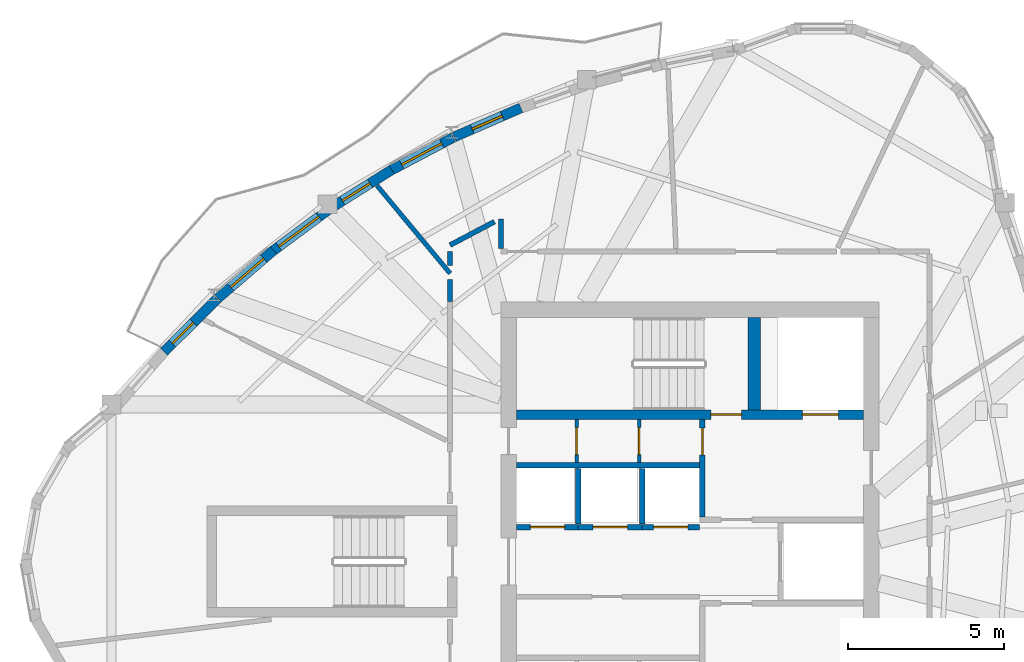
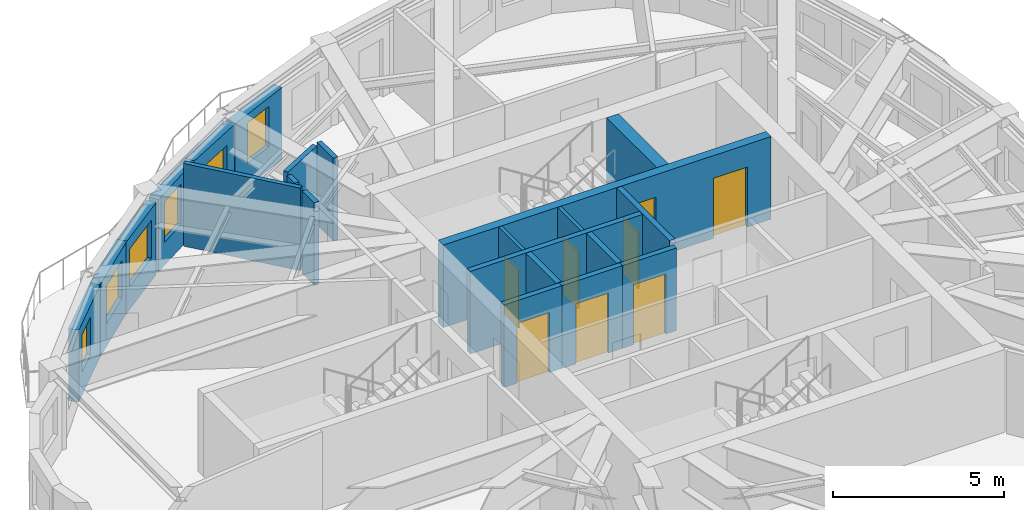
# One storey, part 5 of 11: 22 walls, 8 doors, 6 windows, 14 openings.
"""IFC4 building model written with IfcOpenShell, lengths in metres."""

import ifcopenshell
import ifcopenshell.guid

model = None  # the IFC model being written
_history = None  # IfcOwnerHistory: only IFC2X3 demands one
_inside = {}  # id of a spatial element -> (the spatial element, [elements in it])
_under = {}  # id of a project, library or spatial element -> (it, [spatial elements below it])
_declared = {}  # id of a project -> (the project, [libraries it declares])
_typed = {}  # id of a type object -> (the type object, [elements of that type])
_made_of = {}  # id of a material, layer set ... -> (it, [elements and type objects made of it])


def new_model(schema):
    """Start an empty IFC model of exactly this schema.

    Asked for "IFC4X3", IfcOpenShell would pick the latest addendum, in which some entities
    have other attributes; the version numbers below select the first issue.
    IFC2X3 requires an IfcOwnerHistory on every rooted entity: one is made here for all.
    """
    global model, _history
    if schema == "IFC4X3":
        model = ifcopenshell.file(schema_version=(4, 3, 0, 0))
    else:
        model = ifcopenshell.file(schema=schema)
    _inside.clear()
    _under.clear()
    _declared.clear()
    _typed.clear()
    _made_of.clear()
    _history = None
    if model.schema == "IFC2X3":
        org = make("IfcOrganization", Name="unknown")
        user = make(
            "IfcPersonAndOrganization",
            ThePerson=make("IfcPerson", FamilyName="unknown"),
            TheOrganization=org,
        )
        app = make(
            "IfcApplication",
            ApplicationDeveloper=org,
            Version="unknown",
            ApplicationFullName="unknown",
            ApplicationIdentifier="unknown",
        )
        _history = make(
            "IfcOwnerHistory",
            OwningUser=user,
            OwningApplication=app,
            ChangeAction="ADDED",
            CreationDate=0,
        )
    return model


def make(cls, **values):
    """One entity of the class cls with the attributes given. An attribute that is None is left unset."""
    return model.create_entity(
        cls, **{name: value for name, value in values.items() if value is not None}
    )


def rooted(cls, **values):
    """An entity with a GlobalId (a new one), such as an element, a storey or a relation."""
    return make(cls, GlobalId=ifcopenshell.guid.new(), OwnerHistory=_history, **values)


def si_unit(unit_type, name, prefix=None):
    """IfcSIUnit, for example si_unit("LENGTHUNIT", "METRE", prefix="MILLI")."""
    return make("IfcSIUnit", UnitType=unit_type, Prefix=prefix, Name=name)


def assignment(units):
    """IfcUnitAssignment: the units of a project."""
    return None if units is None else make("IfcUnitAssignment", Units=units)


def point(xyz):
    """IfcCartesianPoint."""
    return None if xyz is None else make("IfcCartesianPoint", Coordinates=xyz)


def direction(xyz):
    """IfcDirection."""
    return None if xyz is None else make("IfcDirection", DirectionRatios=xyz)


def frame(location, z_axis=None, x_axis=None):
    """IfcAxis2Placement3D, a coordinate frame: its origin and axes. An axis left out is left unset."""
    return make(
        "IfcAxis2Placement3D",
        Location=point(location),
        Axis=direction(z_axis),
        RefDirection=direction(x_axis),
    )


def frame_2d(location, x_axis=None):
    """IfcAxis2Placement2D, a coordinate frame in the plane: its origin and x axis."""
    return make(
        "IfcAxis2Placement2D", Location=point(location), RefDirection=direction(x_axis)
    )


def origin():
    """The frame at (0, 0, 0) with its axes left unset."""
    return frame((0.0, 0.0, 0.0))


def place(relative_to, where):
    """IfcLocalPlacement: puts the frame where relative to a parent placement (None: the world)."""
    return make(
        "IfcLocalPlacement", PlacementRelTo=relative_to, RelativePlacement=where
    )


def context(
    kind, dimensions, precision=None, world=None, true_north=None, identifier=None
):
    """IfcGeometricRepresentationContext, for example the 3D "Model" context."""
    return make(
        "IfcGeometricRepresentationContext",
        ContextIdentifier=identifier,
        ContextType=kind,
        CoordinateSpaceDimension=dimensions,
        Precision=precision,
        WorldCoordinateSystem=world,
        TrueNorth=true_north,
    )


def subcontext(parent, identifier, kind, view, scale=None):
    """IfcGeometricRepresentationSubContext, for example "Body" below "Model"."""
    return make(
        "IfcGeometricRepresentationSubContext",
        ContextIdentifier=identifier,
        ContextType=kind,
        ParentContext=parent,
        TargetScale=scale,
        TargetView=view,
    )


def project(units=None, contexts=None):
    """IfcProject with its units and contexts."""
    return rooted(
        "IfcProject",
        Name="project",
        RepresentationContexts=contexts,
        UnitsInContext=assignment(units),
    )


def spatial(cls, under=None, at=None, **own):
    """A site, building, storey or space (cls), placed at a placement, below another one or the project."""
    s = rooted(cls, ObjectPlacement=at, **own)
    if under is not None:
        _under.setdefault(under.id(), (under, []))[1].append(s)
    return s


def profile(cls, at=None, kind="AREA", **sizes):
    """A parametric profile (cls). Its sizes go by their IFC names, for example OverallWidth=200.0."""
    return make(cls, ProfileType=kind, Position=at, **sizes)


def rectangle(**sizes):
    """IfcRectangleProfileDef."""
    return profile("IfcRectangleProfileDef", **sizes)


def extrude(swept, where, along, depth):
    """IfcExtrudedAreaSolid: the profile swept, set in the frame where, extruded along a direction by depth."""
    return make(
        "IfcExtrudedAreaSolid",
        SweptArea=swept,
        Position=where,
        ExtrudedDirection=direction(along),
        Depth=depth,
    )


def shape(context_of_items, identifier, shape_type, items):
    """IfcShapeRepresentation: the items that make up one representation, for example the "Body"."""
    return make(
        "IfcShapeRepresentation",
        ContextOfItems=context_of_items,
        RepresentationIdentifier=identifier,
        RepresentationType=shape_type,
        Items=items,
    )


def source(mapping_origin, context_of_items, identifier, shape_type, items):
    """IfcRepresentationMap: a shape defined once, which mapped items show again and again."""
    return make(
        "IfcRepresentationMap",
        MappingOrigin=mapping_origin,
        MappedRepresentation=shape(context_of_items, identifier, shape_type, items),
    )


def transform(
    local_origin,
    x_axis=None,
    y_axis=None,
    z_axis=None,
    scale=None,
    scale2=None,
    scale3=None,
    uniform=True,
):
    """IfcCartesianTransformationOperator3D, or its non-uniform kind. x_axis, y_axis, z_axis: its Axis1, 2, 3."""
    if uniform:
        return make(
            "IfcCartesianTransformationOperator3D",
            Axis1=direction(x_axis),
            Axis2=direction(y_axis),
            LocalOrigin=point(local_origin),
            Scale=scale,
            Axis3=direction(z_axis),
        )
    return make(
        "IfcCartesianTransformationOperator3DnonUniform",
        Axis1=direction(x_axis),
        Axis2=direction(y_axis),
        LocalOrigin=point(local_origin),
        Scale=scale,
        Axis3=direction(z_axis),
        Scale2=scale2,
        Scale3=scale3,
    )


def mapped(mapping_source, mapping_target):
    """IfcMappedItem: shows the shape of a source again, moved by a transform."""
    return make(
        "IfcMappedItem", MappingSource=mapping_source, MappingTarget=mapping_target
    )


def material(Name=None, Category=None):
    """IfcMaterial."""
    return make("IfcMaterial", Name=Name, Category=Category)


def layer(
    of_material, thickness, ventilated=None, Name=None, Category=None, Priority=None
):
    """IfcMaterialLayer: one layer of a wall or slab, of a material (None: an air gap)."""
    return make(
        "IfcMaterialLayer",
        Material=of_material,
        LayerThickness=thickness,
        IsVentilated=ventilated,
        Name=Name,
        Category=Category,
        Priority=Priority,
    )


def layer_set(layers, Name=None):
    """IfcMaterialLayerSet."""
    return make("IfcMaterialLayerSet", MaterialLayers=layers, LayerSetName=Name)


def made_of(thing, what):
    """Note that an element or type object is made of a material, layer set ...; save() writes the relation."""
    if what is not None:
        _made_of.setdefault(what.id(), (what, []))[1].append(thing)
    return thing


def type_object(cls, material=None, **own):
    """A type object (cls), such as IfcWallType, which elements share."""
    return made_of(rooted(cls, **own), material)


def element(
    cls,
    number,
    at=None,
    inside=None,
    cuts=None,
    type_object=None,
    material=None,
    context=None,
    identifier="Body",
    shape_type=None,
    held_by="IfcProductDefinitionShape",
    body=None,
    shapes=None,
    **own,
):
    """One element of the class cls, such as IfcWall. Its Tag is "e" and its number.

    at: its placement. inside: the storey or other place that contains it. cuts: it is an
    opening in that element (IfcRelVoidsElement). A single representation is given by context,
    identifier, shape_type and body (its items); several are given by shapes. held_by: the class
    of the entity that holds the representations. save() writes the other relations.
    """
    e = rooted(cls, Tag="e%d" % number, ObjectPlacement=at, **own)
    if body is not None:
        shapes = [shape(context, identifier, shape_type, body)]
    if shapes is not None:
        e.Representation = make(held_by, Representations=shapes)
    if inside is not None:
        _inside.setdefault(inside.id(), (inside, []))[1].append(e)
    if cuts is not None:
        rooted(
            "IfcRelVoidsElement", RelatingBuildingElement=cuts, RelatedOpeningElement=e
        )
    if type_object is not None:
        _typed.setdefault(type_object.id(), (type_object, []))[1].append(e)
    return made_of(e, material)


def fill(opening, filler):
    """IfcRelFillsElement: the door or window that sits in an opening."""
    return rooted(
        "IfcRelFillsElement",
        RelatingOpeningElement=opening,
        RelatedBuildingElement=filler,
    )


def aggregate(whole, parts):
    """IfcRelAggregates: a whole, such as a stair, and the parts it consists of."""
    return rooted("IfcRelAggregates", RelatingObject=whole, RelatedObjects=parts)


def save(model, path):
    """Write the relations noted so far, then the file.

    IfcRelAggregates (storeys below a building ...), IfcRelContainedInSpatialStructure (elements
    in a storey), IfcRelDefinesByType, IfcRelAssociatesMaterial and IfcRelDeclares: one each for
    every whole, place, type object, material and project.
    """
    for whole, parts in _under.values():
        aggregate(whole, parts)
    for where, things in _inside.values():
        rooted(
            "IfcRelContainedInSpatialStructure",
            RelatedElements=things,
            RelatingStructure=where,
        )
    for kind, things in _typed.values():
        rooted("IfcRelDefinesByType", RelatedObjects=things, RelatingType=kind)
    for what, things in _made_of.values():
        rooted("IfcRelAssociatesMaterial", RelatedObjects=things, RelatingMaterial=what)
    for by, libraries in _declared.values():
        rooted("IfcRelDeclares", RelatingContext=by, RelatedDefinitions=libraries)
    model.write(path)


model = new_model("IFC4")

# Units and contexts
model_context = context("Model", 3, precision=1e-05, world=origin(), true_north=direction((0.0, 1.0)))
body_context = subcontext(model_context, "Body", "Model", "MODEL_VIEW")
ifc_project = project(units=[si_unit("LENGTHUNIT", "METRE"), si_unit("AREAUNIT", "SQUARE_METRE"), si_unit("VOLUMEUNIT", "CUBIC_METRE"), si_unit("PLANEANGLEUNIT", "RADIAN"), si_unit("MASSUNIT", "GRAM", prefix="KILO")], contexts=[model_context])

# Site, building, storey
site_placement = place(None, origin())
site = spatial("IfcSite", under=ifc_project, at=site_placement, CompositionType="ELEMENT")
building_placement = place(site_placement, origin())
building = spatial("IfcBuilding", under=site, at=building_placement, Name="Qafzar Sky-Pleat Residences", CompositionType="ELEMENT")
storey_placement = place(building_placement, frame((0.0, 0.0, 221.199951171875)))
storey = spatial("IfcBuildingStorey", under=building, at=storey_placement, Name="L66", CompositionType="ELEMENT", Elevation=221.199951171875)

# Walls
ifc_material_1 = material(Name="Acoustic gypsum plasterboard partition", Category="gypsum")
ifc_layer_1 = layer(ifc_material_1, 0.159912109375)
ifc_layer_set_1 = layer_set([ifc_layer_1], Name="Acoustic gypsum plasterboard partition")
wall_type_1 = type_object("IfcWallType", Name="PART-COR-160", PredefinedType="PARTITIONING", material=ifc_layer_set_1)
wall_1_placement = place(storey_placement, frame((22.679931640625, 36.1220703125, 0.0), z_axis=(0.0, 0.0, 1.0), x_axis=(0.884468554818, 0.466599802335, 0.0)))
element("IfcWall", 1, at=wall_1_placement, inside=storey, type_object=wall_type_1, Name="L66 Partition Wall PART-L66-PW-025", PredefinedType="PARTITIONING", context=body_context, shape_type="SweptSolid", body=[
    extrude(rectangle(XDim=1.603271484375, YDim=0.159912109375, at=frame_2d((0.8017578125, 0.0))), origin(), (0.0, 0.0, 1.0), 2.9599609375),
])
wall_2_placement = place(storey_placement, frame((24.300048828125, 36.008056640625, 0.0), z_axis=(0.0, 0.0, 1.0), x_axis=(0.0, 1.0, 0.0)))
element("IfcWall", 2, at=wall_2_placement, inside=storey, type_object=wall_type_1, Name="L66 Partition Wall PART-L66-PW-027", PredefinedType="PARTITIONING", context=body_context, shape_type="SweptSolid", body=[
    extrude(rectangle(XDim=0.949951171875, YDim=0.159912109375, at=frame_2d((0.47509765625, 0.0))), origin(), (0.0, 0.0, 1.0), 2.9599609375),
])
wall_3_placement = place(storey_placement, frame((22.679931640625, 34.31494140625, 0.0), z_axis=(0.0, 0.0, 1.0), x_axis=(0.0, 1.0, 0.0)))
element("IfcWall", 3, at=wall_3_placement, inside=storey, type_object=wall_type_1, Name="L66 Partition Wall PART-L66-PW-028", PredefinedType="PARTITIONING", context=body_context, shape_type="SweptSolid", body=[
    extrude(rectangle(XDim=0.70654296875, YDim=0.159912109375, at=frame_2d((0.353271484375, 0.0))), origin(), (0.0, 0.0, 1.0), 2.9599609375),
])
wall_4_placement = place(storey_placement, frame((22.679931640625, 35.471435546875, 0.0), z_axis=(0.0, 0.0, 1.0), x_axis=(0.0, 1.0, 0.0)))
element("IfcWall", 4, at=wall_4_placement, inside=storey, type_object=wall_type_1, Name="L66 Partition Wall PART-L66-PW-029", PredefinedType="PARTITIONING", context=body_context, shape_type="SweptSolid", body=[
    extrude(rectangle(XDim=0.448486328125, YDim=0.159912109375, at=frame_2d((0.22412109375, 0.0))), origin(), (0.0, 0.0, 1.0), 2.9599609375),
])

# Wall, opening, door
ifc_material_2 = material(Name="Concrete blockwork partition", Category="masonry")
ifc_layer_2 = layer(ifc_material_2, 0.179931640625)
ifc_layer_set_2 = layer_set([ifc_layer_2], Name="Concrete blockwork partition")
wall_type_2 = type_object("IfcWallType", Name="PART-SHAFT-180", PredefinedType="PARTITIONING", material=ifc_layer_set_2)
wall_5_placement = place(storey_placement, frame((30.75, 27.429931640625, 0.0), z_axis=(0.0, 0.0, 1.0), x_axis=(0.0, 1.0, 0.0)))
wall_5 = element("IfcWall", 5, at=wall_5_placement, inside=storey, type_object=wall_type_2, Name="L66 Partition Wall PART-L66-FFL2-W", PredefinedType="PARTITIONING", context=body_context, shape_type="SweptSolid", body=[
    extrude(rectangle(XDim=3.110107421875, YDim=0.179931640625, at=frame_2d((1.55517578125, 0.0))), origin(), (0.0, 0.0, 1.0), 2.9599609375),
])
opening_1_placement = place(wall_5_placement, frame((1.97998046875, 0.0, 0.0)))
opening_1 = element("IfcOpeningElement", 6, at=opening_1_placement, cuts=wall_5, Name="Opening ID-09", PredefinedType="OPENING", context=body_context, shape_type="SweptSolid", body=[
    extrude(rectangle(XDim=0.860107421875, YDim=2.050048828125, at=frame_2d((0.43017578125, 1.02490234375))), frame((0.0, 0.10009765625, 0.0), z_axis=(0.0, -1.0, 0.0), x_axis=(1.0, 0.0, 0.0)), (0.0, 0.0, 1.0), 0.199951171875),
])
ifc_material_3 = material(Name="Timber-faced fire door", Category="wood")
door_type_1 = type_object("IfcDoorType", Name="DR-SVC-860", OperationType="NOTDEFINED", PredefinedType="DOOR", material=ifc_material_3)
shared_shape_1 = source(origin(), body_context, "Body", "SweptSolid", [
    extrude(rectangle(XDim=0.860107421875, YDim=2.050048828125, at=frame_2d((0.43017578125, 1.02490234375))), frame((0.0, 0.02490234375, 0.0), z_axis=(0.0, -1.0, 0.0), x_axis=(1.0, 0.0, 0.0)), (0.0, 0.0, 1.0), 0.050048828125),
])
door_1_placement = place(opening_1_placement, origin())
door_1 = element("IfcDoor", 7, at=door_1_placement, inside=storey, type_object=door_type_1, Name="L66 North Core Cupboard Door", OperationType="SINGLE_SWING_LEFT", OverallHeight=2.050048828125, OverallWidth=0.860107421875, PredefinedType="DOOR", context=body_context, shape_type="MappedRepresentation", body=[
    mapped(shared_shape_1, transform((0.0, 0.0, 0.0), x_axis=(1.0, 0.0, 0.0), y_axis=(0.0, 1.0, 0.0), z_axis=(0.0, 0.0, 1.0), scale=1.0)),
])
fill(opening_1, door_1)

# Wall
wall_6_placement = place(storey_placement, frame((24.81005859375, 29.080078125, 0.0), z_axis=(0.0, 0.0, 1.0), x_axis=(1.0, 0.0, 0.0)))
element("IfcWall", 8, at=wall_6_placement, inside=storey, type_object=wall_type_2, Name="L66 Partition Wall PART-L66-P46-N", PredefinedType="PARTITIONING", context=body_context, shape_type="SweptSolid", body=[
    extrude(rectangle(XDim=5.83984375, YDim=0.179931640625, at=frame_2d((2.919921875, 0.0))), origin(), (0.0, 0.0, 1.0), 2.9599609375),
])

# Wall, opening, door
wall_7_placement = place(storey_placement, frame((24.81005859375, 27.10009765625, 0.0), z_axis=(0.0, 0.0, 1.0), x_axis=(1.0, 0.0, 0.0)))
wall_7 = element("IfcWall", 9, at=wall_7_placement, inside=storey, type_object=wall_type_2, Name="L66 Partition Wall PART-L66-P4-S", PredefinedType="PARTITIONING", context=body_context, shape_type="SweptSolid", body=[
    extrude(rectangle(XDim=1.96484375, YDim=0.179931640625, at=frame_2d((0.982421875, 0.0))), origin(), (0.0, 0.0, 1.0), 2.9599609375),
])
opening_2_placement = place(wall_7_placement, frame((0.4326171875, 0.0, 0.0)))
opening_2 = element("IfcOpeningElement", 10, at=opening_2_placement, cuts=wall_7, Name="Opening LD-01", PredefinedType="OPENING", context=body_context, shape_type="SweptSolid", body=[
    extrude(rectangle(XDim=1.10009765625, YDim=2.14990234375, at=frame_2d((0.550048828125, 1.074951171875))), frame((0.0, 0.10009765625, 0.0), z_axis=(0.0, -1.0, 0.0), x_axis=(1.0, 0.0, 0.0)), (0.0, 0.0, 1.0), 0.199951171875),
])
ifc_material_4 = material(Name="Stainless steel sliding landing door", Category="steel")
door_type_2 = type_object("IfcDoorType", Name="DR-LIFT-P", OperationType="DOUBLE_DOOR_SLIDING", PredefinedType="DOOR", material=ifc_material_4)
shared_shape_2 = source(origin(), body_context, "Body", "SweptSolid", [
    extrude(rectangle(XDim=1.10009765625, YDim=2.14990234375, at=frame_2d((0.550048828125, 1.074951171875))), frame((0.0, 0.02490234375, 0.0), z_axis=(0.0, -1.0, 0.0), x_axis=(1.0, 0.0, 0.0)), (0.0, 0.0, 1.0), 0.050048828125),
])
door_2_placement = place(opening_2_placement, origin())
door_2 = element("IfcDoor", 11, at=door_2_placement, inside=storey, type_object=door_type_2, Name="L66 Passenger Lift P4 Landing Door", OperationType="DOUBLE_DOOR_SLIDING", OverallHeight=2.14990234375, OverallWidth=1.10009765625, PredefinedType="DOOR", context=body_context, shape_type="MappedRepresentation", body=[
    mapped(shared_shape_2, transform((0.0, 0.0, 0.0), x_axis=(1.0, 0.0, 0.0), y_axis=(0.0, 1.0, 0.0), z_axis=(0.0, 0.0, 1.0), scale=1.0)),
])
fill(opening_2, door_2)

wall_8_placement = place(storey_placement, frame((26.77490234375, 27.10009765625, 0.0), z_axis=(0.0, 0.0, 1.0), x_axis=(1.0, 0.0, 0.0)))
wall_8 = element("IfcWall", 12, at=wall_8_placement, inside=storey, type_object=wall_type_2, Name="L66 Partition Wall PART-L66-P5-S", PredefinedType="PARTITIONING", context=body_context, shape_type="SweptSolid", body=[
    extrude(rectangle(XDim=2.050048828125, YDim=0.179931640625, at=frame_2d((1.02490234375, 0.0))), origin(), (0.0, 0.0, 1.0), 2.9599609375),
])
opening_3_placement = place(wall_8_placement, frame((0.47509765625, 0.0, 0.0)))
opening_3 = element("IfcOpeningElement", 13, at=opening_3_placement, cuts=wall_8, Name="Opening LD-01", PredefinedType="OPENING", context=body_context, shape_type="SweptSolid", body=[
    extrude(rectangle(XDim=1.10009765625, YDim=2.14990234375, at=frame_2d((0.550048828125, 1.074951171875))), frame((0.0, 0.10009765625, 0.0), z_axis=(0.0, -1.0, 0.0), x_axis=(1.0, 0.0, 0.0)), (0.0, 0.0, 1.0), 0.199951171875),
])
door_3_placement = place(opening_3_placement, origin())
door_3 = element("IfcDoor", 14, at=door_3_placement, inside=storey, type_object=door_type_2, Name="L66 Passenger Lift P5 Landing Door", OperationType="DOUBLE_DOOR_SLIDING", OverallHeight=2.14990234375, OverallWidth=1.10009765625, PredefinedType="DOOR", context=body_context, shape_type="MappedRepresentation", body=[
    mapped(shared_shape_2, transform((0.0, 0.0, 0.0), x_axis=(1.0, 0.0, 0.0), y_axis=(0.0, 1.0, 0.0), z_axis=(0.0, 0.0, 1.0), scale=1.0)),
])
fill(opening_3, door_3)

# Wall
wall_9_placement = place(storey_placement, frame((26.77490234375, 27.199951171875, 0.0), z_axis=(0.0, 0.0, 1.0), x_axis=(0.0, 1.0, 0.0)))
element("IfcWall", 15, at=wall_9_placement, inside=storey, type_object=wall_type_2, Name="L66 Partition Wall PART-L66-P46-DIV-1", PredefinedType="PARTITIONING", context=body_context, shape_type="SweptSolid", body=[
    extrude(rectangle(XDim=1.780029296875, YDim=0.179931640625, at=frame_2d((0.89013671875, 0.0))), origin(), (0.0, 0.0, 1.0), 2.9599609375),
])

# Wall, opening, door
wall_10_placement = place(storey_placement, frame((28.824951171875, 27.10009765625, 0.0), z_axis=(0.0, 0.0, 1.0), x_axis=(1.0, 0.0, 0.0)))
wall_10 = element("IfcWall", 16, at=wall_10_placement, inside=storey, type_object=wall_type_2, Name="L66 Partition Wall PART-L66-P6-S", PredefinedType="PARTITIONING", context=body_context, shape_type="SweptSolid", body=[
    extrude(rectangle(XDim=1.824951171875, YDim=0.179931640625, at=frame_2d((0.91259765625, 0.0))), origin(), (0.0, 0.0, 1.0), 2.9599609375),
])
opening_4_placement = place(wall_10_placement, frame((0.362548828125, 0.0, 0.0)))
opening_4 = element("IfcOpeningElement", 17, at=opening_4_placement, cuts=wall_10, Name="Opening LD-01", PredefinedType="OPENING", context=body_context, shape_type="SweptSolid", body=[
    extrude(rectangle(XDim=1.10009765625, YDim=2.14990234375, at=frame_2d((0.550048828125, 1.074951171875))), frame((0.0, 0.10009765625, 0.0), z_axis=(0.0, -1.0, 0.0), x_axis=(1.0, 0.0, 0.0)), (0.0, 0.0, 1.0), 0.199951171875),
])
door_4_placement = place(opening_4_placement, origin())
door_4 = element("IfcDoor", 18, at=door_4_placement, inside=storey, type_object=door_type_2, Name="L66 Passenger Lift P6 Landing Door", OperationType="DOUBLE_DOOR_SLIDING", OverallHeight=2.14990234375, OverallWidth=1.10009765625, PredefinedType="DOOR", context=body_context, shape_type="MappedRepresentation", body=[
    mapped(shared_shape_2, transform((0.0, 0.0, 0.0), x_axis=(1.0, 0.0, 0.0), y_axis=(0.0, 1.0, 0.0), z_axis=(0.0, 0.0, 1.0), scale=1.0)),
])
fill(opening_4, door_4)

# Wall
wall_11_placement = place(storey_placement, frame((28.824951171875, 27.199951171875, 0.0), z_axis=(0.0, 0.0, 1.0), x_axis=(0.0, 1.0, 0.0)))
element("IfcWall", 19, at=wall_11_placement, inside=storey, type_object=wall_type_2, Name="L66 Partition Wall PART-L66-P46-DIV-2", PredefinedType="PARTITIONING", context=body_context, shape_type="SweptSolid", body=[
    extrude(rectangle(XDim=1.780029296875, YDim=0.179931640625, at=frame_2d((0.89013671875, 0.0))), origin(), (0.0, 0.0, 1.0), 2.9599609375),
])

# Wall, opening, door
ifc_material_5 = material(Name="Gypsum plasterboard partition", Category="gypsum")
ifc_layer_3 = layer(ifc_material_5, 0.114990234375)
ifc_layer_set_3 = layer_set([ifc_layer_3], Name="Gypsum plasterboard partition")
wall_type_3 = type_object("IfcWallType", Name="PART-SVC-115", PredefinedType="PARTITIONING", material=ifc_layer_set_3)
wall_12_placement = place(storey_placement, frame((26.72509765625, 29.159912109375, 0.0), z_axis=(0.0, 0.0, 1.0), x_axis=(0.0, 1.0, 0.0)))
wall_12 = element("IfcWall", 20, at=wall_12_placement, inside=storey, type_object=wall_type_3, Name="L66 Partition Wall PART-L66-KC-NW-1", PredefinedType="PARTITIONING", context=body_context, shape_type="SweptSolid", body=[
    extrude(rectangle(XDim=1.380126953125, YDim=0.114990234375, at=frame_2d((0.68994140625, 0.0))), origin(), (0.0, 0.0, 1.0), 2.9599609375),
])
opening_5_placement = place(wall_12_placement, frame((0.260009765625, 0.0, 0.0)))
opening_5 = element("IfcOpeningElement", 21, at=opening_5_placement, cuts=wall_12, Name="Opening ID-09", PredefinedType="OPENING", context=body_context, shape_type="SweptSolid", body=[
    extrude(rectangle(XDim=0.860107421875, YDim=2.050048828125, at=frame_2d((0.43017578125, 1.02490234375))), frame((0.0, 0.0673828125, 0.0), z_axis=(0.0, -1.0, 0.0), x_axis=(1.0, 0.0, 0.0)), (0.0, 0.0, 1.0), 0.135009765625),
])
door_5_placement = place(opening_5_placement, origin())
door_5 = element("IfcDoor", 22, at=door_5_placement, inside=storey, type_object=door_type_1, Name="L66 Core North Cupboard 1 Door", OperationType="SINGLE_SWING_LEFT", OverallHeight=2.050048828125, OverallWidth=0.860107421875, PredefinedType="DOOR", context=body_context, shape_type="MappedRepresentation", body=[
    mapped(shared_shape_1, transform((0.0, 0.0, 0.0), x_axis=(1.0, 0.0, 0.0), y_axis=(0.0, 1.0, 0.0), z_axis=(0.0, 0.0, 1.0), scale=1.0)),
])
fill(opening_5, door_5)

wall_13_placement = place(storey_placement, frame((28.72509765625, 29.159912109375, 0.0), z_axis=(0.0, 0.0, 1.0), x_axis=(0.0, 1.0, 0.0)))
wall_13 = element("IfcWall", 23, at=wall_13_placement, inside=storey, type_object=wall_type_3, Name="L66 Partition Wall PART-L66-KC-NW-2", PredefinedType="PARTITIONING", context=body_context, shape_type="SweptSolid", body=[
    extrude(rectangle(XDim=1.380126953125, YDim=0.114990234375, at=frame_2d((0.68994140625, 0.0))), origin(), (0.0, 0.0, 1.0), 2.9599609375),
])
opening_6_placement = place(wall_13_placement, frame((0.260009765625, 0.0, 0.0)))
opening_6 = element("IfcOpeningElement", 24, at=opening_6_placement, cuts=wall_13, Name="Opening ID-09", PredefinedType="OPENING", context=body_context, shape_type="SweptSolid", body=[
    extrude(rectangle(XDim=0.860107421875, YDim=2.050048828125, at=frame_2d((0.43017578125, 1.02490234375))), frame((0.0, 0.0673828125, 0.0), z_axis=(0.0, -1.0, 0.0), x_axis=(1.0, 0.0, 0.0)), (0.0, 0.0, 1.0), 0.135009765625),
])
door_6_placement = place(opening_6_placement, origin())
door_6 = element("IfcDoor", 25, at=door_6_placement, inside=storey, type_object=door_type_1, Name="L66 Core North Cupboard 2 Door", OperationType="SINGLE_SWING_LEFT", OverallHeight=2.050048828125, OverallWidth=0.860107421875, PredefinedType="DOOR", context=body_context, shape_type="MappedRepresentation", body=[
    mapped(shared_shape_1, transform((0.0, 0.0, 0.0), x_axis=(1.0, 0.0, 0.0), y_axis=(0.0, 1.0, 0.0), z_axis=(0.0, 0.0, 1.0), scale=1.0)),
])
fill(opening_6, door_6)

# Wall
ifc_layer_4 = layer(ifc_material_1, 0.14501953125)
ifc_layer_set_4 = layer_set([ifc_layer_4], Name="Acoustic gypsum plasterboard partition")
wall_type_4 = type_object("IfcWallType", Name="PART-UNIT-145", PredefinedType="PARTITIONING", material=ifc_layer_set_4)
wall_14_placement = place(storey_placement, frame((20.3408203125, 38.025390625, 0.0), z_axis=(0.0, 0.0, 1.0), x_axis=(0.639731122463, -0.768598784121, 0.0)))
element("IfcWall", 26, at=wall_14_placement, inside=storey, type_object=wall_type_4, Name="L66 Partition Wall PART-L66-PW-020", PredefinedType="PARTITIONING", context=body_context, shape_type="SweptSolid", body=[
    extrude(rectangle(XDim=3.656494140625, YDim=0.14501953125, at=frame_2d((1.828125, 0.0))), origin(), (0.0, 0.0, 1.0), 2.9599609375),
])

# Wall, opening, window
ifc_material_6 = material(Name="Precast concrete C40/50 with honed Riyadh limestone", Category="concrete")
ifc_layer_5 = layer(ifc_material_6, 0.320068359375)
ifc_layer_set_5 = layer_set([ifc_layer_5], Name="Precast concrete C40/50 with honed Riyadh limestone")
wall_type_5 = type_object("IfcWallType", Name="WALL-EXT-320", PredefinedType="SOLIDWALL", material=ifc_layer_set_5)
wall_15_placement = place(storey_placement, frame((24.9453125, 40.509765625, 0.0), z_axis=(0.0, 0.0, 1.0), x_axis=(-0.917060051629, -0.39874912126, 0.0)))
wall_15 = element("IfcWall", 27, at=wall_15_placement, inside=storey, type_object=wall_type_5, Name="L66 Limestone Facade Wall 42", PredefinedType="SOLIDWALL", context=body_context, shape_type="SweptSolid", body=[
    extrude(rectangle(XDim=2.327880859375, YDim=0.320068359375, at=frame_2d((1.1640625, 0.0))), origin(), (0.0, 0.0, 1.0), 2.580078125),
])
opening_7_placement = place(wall_15_placement, frame((0.64892578125, 0.0, 0.820068359375)))
opening_7 = element("IfcOpeningElement", 28, at=opening_7_placement, cuts=wall_15, Name="Opening WN-06", PredefinedType="OPENING", context=body_context, shape_type="SweptSolid", body=[
    extrude(rectangle(XDim=1.050048828125, YDim=1.449951171875, at=frame_2d((0.52490234375, 0.72509765625))), frame((0.0, 0.169921875, 0.0), z_axis=(0.0, -1.0, 0.0), x_axis=(1.0, 0.0, 0.0)), (0.0, 0.0, 1.0), 0.340087890625),
])
ifc_material_7 = material(Name="Solar-control low-E glass in bronze aluminium frame", Category="glass")
window_type_1 = type_object("IfcWindowType", Name="WIN-06", PartitioningType="SINGLE_PANEL", PredefinedType="WINDOW", material=ifc_material_7)
shared_shape_3 = source(origin(), body_context, "Body", "SweptSolid", [
    extrude(rectangle(XDim=1.050048828125, YDim=1.449951171875, at=frame_2d((0.52490234375, 0.72509765625))), frame((0.0, 0.030029296875, 0.0), z_axis=(0.0, -1.0, 0.0), x_axis=(1.0, 0.0, 0.0)), (0.0, 0.0, 1.0), 0.06005859375),
])
window_1_placement = place(opening_7_placement, origin())
window_1 = element("IfcWindow", 29, at=window_1_placement, inside=storey, type_object=window_type_1, Name="L66 Punched Facade Window 42", OverallHeight=1.449951171875, OverallWidth=1.050048828125, PartitioningType="SINGLE_PANEL", PredefinedType="WINDOW", context=body_context, shape_type="MappedRepresentation", body=[
    mapped(shared_shape_3, transform((0.0, 0.0, 0.0), x_axis=(1.0, 0.0, 0.0), y_axis=(0.0, 1.0, 0.0), z_axis=(0.0, 0.0, 1.0), scale=1.0)),
])
fill(opening_7, window_1)

wall_16_placement = place(storey_placement, frame((22.785400390625, 39.569580078125, 0.0), z_axis=(0.0, 0.0, 1.0), x_axis=(-0.884379914657, -0.466767786541, 0.0)))
wall_16 = element("IfcWall", 30, at=wall_16_placement, inside=storey, type_object=wall_type_5, Name="L66 Limestone Facade Wall 43", PredefinedType="SOLIDWALL", context=body_context, shape_type="SweptSolid", body=[
    extrude(rectangle(XDim=2.314453125, YDim=0.320068359375, at=frame_2d((1.1572265625, 0.0))), origin(), (0.0, 0.0, 1.0), 2.580078125),
])
opening_8_placement = place(wall_16_placement, frame((0.42236328125, 0.0, 0.820068359375)))
opening_8 = element("IfcOpeningElement", 31, at=opening_8_placement, cuts=wall_16, Name="Opening WN-15", PredefinedType="OPENING", context=body_context, shape_type="SweptSolid", body=[
    extrude(rectangle(XDim=1.449951171875, YDim=1.25, at=frame_2d((0.72509765625, 0.625))), frame((0.0, 0.169921875, 0.0), z_axis=(0.0, -1.0, 0.0), x_axis=(1.0, 0.0, 0.0)), (0.0, 0.0, 1.0), 0.340087890625),
])
window_type_2 = type_object("IfcWindowType", Name="WIN-15", PartitioningType="SINGLE_PANEL", PredefinedType="WINDOW", material=ifc_material_7)
shared_shape_4 = source(origin(), body_context, "Body", "SweptSolid", [
    extrude(rectangle(XDim=1.449951171875, YDim=1.25, at=frame_2d((0.72509765625, 0.625))), frame((0.0, 0.030029296875, 0.0), z_axis=(0.0, -1.0, 0.0), x_axis=(1.0, 0.0, 0.0)), (0.0, 0.0, 1.0), 0.06005859375),
])
window_2_placement = place(opening_8_placement, origin())
window_2 = element("IfcWindow", 32, at=window_2_placement, inside=storey, type_object=window_type_2, Name="L66 Punched Facade Window 43", OverallHeight=1.25, OverallWidth=1.449951171875, PartitioningType="SINGLE_PANEL", PredefinedType="WINDOW", context=body_context, shape_type="MappedRepresentation", body=[
    mapped(shared_shape_4, transform((0.0, 0.0, 0.0), x_axis=(1.0, 0.0, 0.0), y_axis=(0.0, 1.0, 0.0), z_axis=(0.0, 0.0, 1.0), scale=1.0)),
])
fill(opening_8, window_2)

wall_17_placement = place(storey_placement, frame((20.814697265625, 38.533203125, 0.0), z_axis=(0.0, 0.0, 1.0), x_axis=(-0.846418054627, -0.532518991963, 0.0)))
wall_17 = element("IfcWall", 33, at=wall_17_placement, inside=storey, type_object=wall_type_5, Name="L66 Limestone Facade Wall 44", PredefinedType="SOLIDWALL", context=body_context, shape_type="SweptSolid", body=[
    extrude(rectangle(XDim=2.24462890625, YDim=0.320068359375, at=frame_2d((1.122314453125, 0.0))), origin(), (0.0, 0.0, 1.0), 2.580078125),
])
opening_9_placement = place(wall_17_placement, frame((0.81982421875, 0.0, 0.820068359375)))
opening_9 = element("IfcOpeningElement", 34, at=opening_9_placement, cuts=wall_17, Name="Opening WN-06", PredefinedType="OPENING", context=body_context, shape_type="SweptSolid", body=[
    extrude(rectangle(XDim=1.050048828125, YDim=1.449951171875, at=frame_2d((0.52490234375, 0.72509765625))), frame((0.0, 0.169921875, 0.0), z_axis=(0.0, -1.0, 0.0), x_axis=(1.0, 0.0, 0.0)), (0.0, 0.0, 1.0), 0.340087890625),
])
window_3_placement = place(opening_9_placement, origin())
window_3 = element("IfcWindow", 35, at=window_3_placement, inside=storey, type_object=window_type_1, Name="L66 Punched Facade Window 44-2", OverallHeight=1.449951171875, OverallWidth=1.050048828125, PartitioningType="SINGLE_PANEL", PredefinedType="WINDOW", context=body_context, shape_type="MappedRepresentation", body=[
    mapped(shared_shape_3, transform((0.0, 0.0, 0.0), x_axis=(1.0, 0.0, 0.0), y_axis=(0.0, 1.0, 0.0), z_axis=(0.0, 0.0, 1.0), scale=1.0)),
])
fill(opening_9, window_3)

wall_18_placement = place(storey_placement, frame((18.7763671875, 37.243408203125, 0.0), z_axis=(0.0, 0.0, 1.0), x_axis=(-0.803798468353, -0.594901691267, 0.0)))
wall_18 = element("IfcWall", 36, at=wall_18_placement, inside=storey, type_object=wall_type_5, Name="L66 Limestone Facade Wall 45", PredefinedType="SOLIDWALL", context=body_context, shape_type="SweptSolid", body=[
    extrude(rectangle(XDim=2.258056640625, YDim=0.320068359375, at=frame_2d((1.12890625, 0.0))), origin(), (0.0, 0.0, 1.0), 2.580078125),
])
opening_10_placement = place(wall_18_placement, frame((0.364013671875, 0.0, 0.820068359375)))
opening_10 = element("IfcOpeningElement", 37, at=opening_10_placement, cuts=wall_18, Name="Opening WN-09", PredefinedType="OPENING", context=body_context, shape_type="SweptSolid", body=[
    extrude(rectangle(XDim=1.60009765625, YDim=1.35009765625, at=frame_2d((0.800048828125, 0.675048828125))), frame((0.0, 0.169921875, 0.0), z_axis=(0.0, -1.0, 0.0), x_axis=(1.0, 0.0, 0.0)), (0.0, 0.0, 1.0), 0.340087890625),
])
window_type_3 = type_object("IfcWindowType", Name="WIN-09", PartitioningType="DOUBLE_PANEL_VERTICAL", PredefinedType="WINDOW", material=ifc_material_7)
shared_shape_5 = source(origin(), body_context, "Body", "SweptSolid", [
    extrude(rectangle(XDim=1.60009765625, YDim=1.35009765625, at=frame_2d((0.800048828125, 0.675048828125))), frame((0.0, 0.030029296875, 0.0), z_axis=(0.0, -1.0, 0.0), x_axis=(1.0, 0.0, 0.0)), (0.0, 0.0, 1.0), 0.06005859375),
])
window_4_placement = place(opening_10_placement, origin())
window_4 = element("IfcWindow", 38, at=window_4_placement, inside=storey, type_object=window_type_3, Name="L66 Punched Facade Window 45", OverallHeight=1.35009765625, OverallWidth=1.60009765625, PartitioningType="SINGLE_PANEL", PredefinedType="WINDOW", context=body_context, shape_type="MappedRepresentation", body=[
    mapped(shared_shape_5, transform((0.0, 0.0, 0.0), x_axis=(1.0, 0.0, 0.0), y_axis=(0.0, 1.0, 0.0), z_axis=(0.0, 0.0, 1.0), scale=1.0)),
])
fill(opening_10, window_4)

wall_19_placement = place(storey_placement, frame((17.030029296875, 35.955078125, 0.0), z_axis=(0.0, 0.0, 1.0), x_axis=(-0.757489541562, -0.652847297937, 0.0)))
wall_19 = element("IfcWall", 39, at=wall_19_placement, inside=storey, type_object=wall_type_5, Name="L66 Limestone Facade Wall 46", PredefinedType="SOLIDWALL", context=body_context, shape_type="SweptSolid", body=[
    extrude(rectangle(XDim=2.35400390625, YDim=0.320068359375, at=frame_2d((1.177001953125, 0.0))), origin(), (0.0, 0.0, 1.0), 2.580078125),
])
opening_11_placement = place(wall_19_placement, frame((0.406982421875, 0.0, 0.820068359375)))
opening_11 = element("IfcOpeningElement", 40, at=opening_11_placement, cuts=wall_19, Name="Opening WN-10", PredefinedType="OPENING", context=body_context, shape_type="SweptSolid", body=[
    extrude(rectangle(XDim=1.39990234375, YDim=1.35009765625, at=frame_2d((0.699951171875, 0.675048828125))), frame((0.0, 0.169921875, 0.0), z_axis=(0.0, -1.0, 0.0), x_axis=(1.0, 0.0, 0.0)), (0.0, 0.0, 1.0), 0.340087890625),
])
window_type_4 = type_object("IfcWindowType", Name="WIN-10", PartitioningType="SINGLE_PANEL", PredefinedType="WINDOW", material=ifc_material_7)
shared_shape_6 = source(origin(), body_context, "Body", "SweptSolid", [
    extrude(rectangle(XDim=1.39990234375, YDim=1.35009765625, at=frame_2d((0.699951171875, 0.675048828125))), frame((0.0, 0.030029296875, 0.0), z_axis=(0.0, -1.0, 0.0), x_axis=(1.0, 0.0, 0.0)), (0.0, 0.0, 1.0), 0.06005859375),
])
window_5_placement = place(opening_11_placement, origin())
window_5 = element("IfcWindow", 41, at=window_5_placement, inside=storey, type_object=window_type_4, Name="L66 Punched Facade Window 46", OverallHeight=1.35009765625, OverallWidth=1.39990234375, PartitioningType="SINGLE_PANEL", PredefinedType="WINDOW", context=body_context, shape_type="MappedRepresentation", body=[
    mapped(shared_shape_6, transform((0.0, 0.0, 0.0), x_axis=(1.0, 0.0, 0.0), y_axis=(0.0, 1.0, 0.0), z_axis=(0.0, 0.0, 1.0), scale=1.0)),
])
fill(opening_11, window_5)

wall_20_placement = place(storey_placement, frame((15.22607421875, 34.398681640625, 0.0), z_axis=(0.0, 0.0, 1.0), x_axis=(-0.708431997636, -0.705779076429, 0.0)))
wall_20 = element("IfcWall", 42, at=wall_20_placement, inside=storey, type_object=wall_type_5, Name="L66 Limestone Facade Wall 47", PredefinedType="SOLIDWALL", context=body_context, shape_type="SweptSolid", body=[
    extrude(rectangle(XDim=2.392822265625, YDim=0.320068359375, at=frame_2d((1.1962890625, 0.0))), origin(), (0.0, 0.0, 1.0), 2.580078125),
])
opening_12_placement = place(wall_20_placement, frame((1.070068359375, 0.0, 0.820068359375)))
opening_12 = element("IfcOpeningElement", 43, at=opening_12_placement, cuts=wall_20, Name="Opening WN-12", PredefinedType="OPENING", context=body_context, shape_type="SweptSolid", body=[
    extrude(rectangle(XDim=0.949951171875, YDim=1.35009765625, at=frame_2d((0.47509765625, 0.675048828125))), frame((0.0, 0.169921875, 0.0), z_axis=(0.0, -1.0, 0.0), x_axis=(1.0, 0.0, 0.0)), (0.0, 0.0, 1.0), 0.340087890625),
])
window_type_5 = type_object("IfcWindowType", Name="WIN-12", PartitioningType="SINGLE_PANEL", PredefinedType="WINDOW", material=ifc_material_7)
shared_shape_7 = source(origin(), body_context, "Body", "SweptSolid", [
    extrude(rectangle(XDim=0.949951171875, YDim=1.35009765625, at=frame_2d((0.47509765625, 0.675048828125))), frame((0.0, 0.030029296875, 0.0), z_axis=(0.0, -1.0, 0.0), x_axis=(1.0, 0.0, 0.0)), (0.0, 0.0, 1.0), 0.06005859375),
])
window_6_placement = place(opening_12_placement, origin())
window_6 = element("IfcWindow", 44, at=window_6_placement, inside=storey, type_object=window_type_5, Name="L66 Punched Facade Window 47-2", OverallHeight=1.35009765625, OverallWidth=0.949951171875, PartitioningType="SINGLE_PANEL", PredefinedType="WINDOW", context=body_context, shape_type="MappedRepresentation", body=[
    mapped(shared_shape_7, transform((0.0, 0.0, 0.0), x_axis=(1.0, 0.0, 0.0), y_axis=(0.0, 1.0, 0.0), z_axis=(0.0, 0.0, 1.0), scale=1.0)),
])
fill(opening_12, window_6)

# Wall, openings, doors
ifc_material_8 = material(Name="Concrete C60/75", Category="concrete")
ifc_layer_6 = layer(ifc_material_8, 0.300048828125)
ifc_layer_set_6 = layer_set([ifc_layer_6], Name="Concrete C60/75")
wall_type_6 = type_object("IfcWallType", Name="WALL-SHEAR-300", PredefinedType="SHEAR", material=ifc_layer_set_6)
wall_21_placement = place(storey_placement, frame((24.800048828125, 30.699951171875, 0.0), z_axis=(0.0, 0.0, 1.0), x_axis=(1.0, 0.0, 0.0)))
wall_21 = element("IfcWall", 45, at=wall_21_placement, inside=storey, type_object=wall_type_6, Name="L66 Stair ST2 and FF2 Shaft South Wall", PredefinedType="SHEAR", context=body_context, shape_type="SweptSolid", body=[
    extrude(rectangle(XDim=11.099853515625, YDim=0.300048828125, at=frame_2d((5.5498046875, 0.0))), origin(), (0.0, 0.0, 1.0), 2.9599609375),
])
opening_13_placement = place(wall_21_placement, frame((6.219970703125, 0.0, 0.0)))
opening_13 = element("IfcOpeningElement", 46, at=opening_13_placement, cuts=wall_21, Name="Opening ID-01", PredefinedType="OPENING", context=body_context, shape_type="SweptSolid", body=[
    extrude(rectangle(XDim=0.97998046875, YDim=2.14990234375, at=frame_2d((0.489990234375, 1.074951171875))), frame((0.0, 0.16015625, 0.0), z_axis=(0.0, -1.0, 0.0), x_axis=(1.0, 0.0, 0.0)), (0.0, 0.0, 1.0), 0.320068359375),
])
opening_14_placement = place(wall_21_placement, frame((9.14990234375, 0.0, 0.0)))
opening_14 = element("IfcOpeningElement", 47, at=opening_14_placement, cuts=wall_21, Name="Opening LD-02", PredefinedType="OPENING", context=body_context, shape_type="SweptSolid", body=[
    extrude(rectangle(XDim=1.14990234375, YDim=2.14990234375, at=frame_2d((0.574951171875, 1.074951171875))), frame((0.0, 0.16015625, 0.0), z_axis=(0.0, -1.0, 0.0), x_axis=(1.0, 0.0, 0.0)), (0.0, 0.0, 1.0), 0.320068359375),
])
door_type_3 = type_object("IfcDoorType", Name="DR-STAIR-980", OperationType="NOTDEFINED", PredefinedType="DOOR", material=ifc_material_3)
shared_shape_8 = source(origin(), body_context, "Body", "SweptSolid", [
    extrude(rectangle(XDim=0.97998046875, YDim=2.14990234375, at=frame_2d((0.489990234375, 1.074951171875))), frame((0.0, 0.02490234375, 0.0), z_axis=(0.0, -1.0, 0.0), x_axis=(1.0, 0.0, 0.0)), (0.0, 0.0, 1.0), 0.050048828125),
])
door_7_placement = place(opening_13_placement, origin())
door_7 = element("IfcDoor", 48, at=door_7_placement, inside=storey, type_object=door_type_3, Name="L66 Stair ST2 Fire Door", OperationType="SINGLE_SWING_LEFT", OverallHeight=2.14990234375, OverallWidth=0.97998046875, PredefinedType="DOOR", context=body_context, shape_type="MappedRepresentation", body=[
    mapped(shared_shape_8, transform((0.0, 0.0, 0.0), x_axis=(1.0, 0.0, 0.0), y_axis=(0.0, 1.0, 0.0), z_axis=(0.0, 0.0, 1.0), scale=1.0)),
])
fill(opening_13, door_7)
door_type_4 = type_object("IfcDoorType", Name="DR-LIFT-FF", OperationType="DOUBLE_DOOR_SLIDING", PredefinedType="DOOR", material=ifc_material_4)
shared_shape_9 = source(origin(), body_context, "Body", "SweptSolid", [
    extrude(rectangle(XDim=1.14990234375, YDim=2.14990234375, at=frame_2d((0.574951171875, 1.074951171875))), frame((0.0, 0.02490234375, 0.0), z_axis=(0.0, -1.0, 0.0), x_axis=(1.0, 0.0, 0.0)), (0.0, 0.0, 1.0), 0.050048828125),
])
door_8_placement = place(opening_14_placement, origin())
door_8 = element("IfcDoor", 49, at=door_8_placement, inside=storey, type_object=door_type_4, Name="L66 Firefighting Lift FF2 Landing Door", OperationType="DOUBLE_DOOR_SLIDING", OverallHeight=2.14990234375, OverallWidth=1.14990234375, PredefinedType="DOOR", context=body_context, shape_type="MappedRepresentation", body=[
    mapped(shared_shape_9, transform((0.0, 0.0, 0.0), x_axis=(1.0, 0.0, 0.0), y_axis=(0.0, 1.0, 0.0), z_axis=(0.0, 0.0, 1.0), scale=1.0)),
])
fill(opening_14, door_8)

# Wall
ifc_layer_7 = layer(ifc_material_8, 0.39990234375)
ifc_layer_set_7 = layer_set([ifc_layer_7], Name="Concrete C60/75")
wall_type_7 = type_object("IfcWallType", Name="WALL-SHEAR-400", PredefinedType="SHEAR", material=ifc_layer_set_7)
wall_22_placement = place(storey_placement, frame((32.39990234375, 30.85009765625, 0.0), z_axis=(0.0, 0.0, 1.0), x_axis=(0.0, 1.0, 0.0)))
element("IfcWall", 50, at=wall_22_placement, inside=storey, type_object=wall_type_7, Name="L66 Stair ST2 East Dividing Wall", PredefinedType="SHEAR", context=body_context, shape_type="SweptSolid", body=[
    extrude(rectangle(XDim=2.949951171875, YDim=0.39990234375, at=frame_2d((1.47509765625, 0.0))), origin(), (0.0, 0.0, 1.0), 2.9599609375),
])

save(model, "model.ifc")
